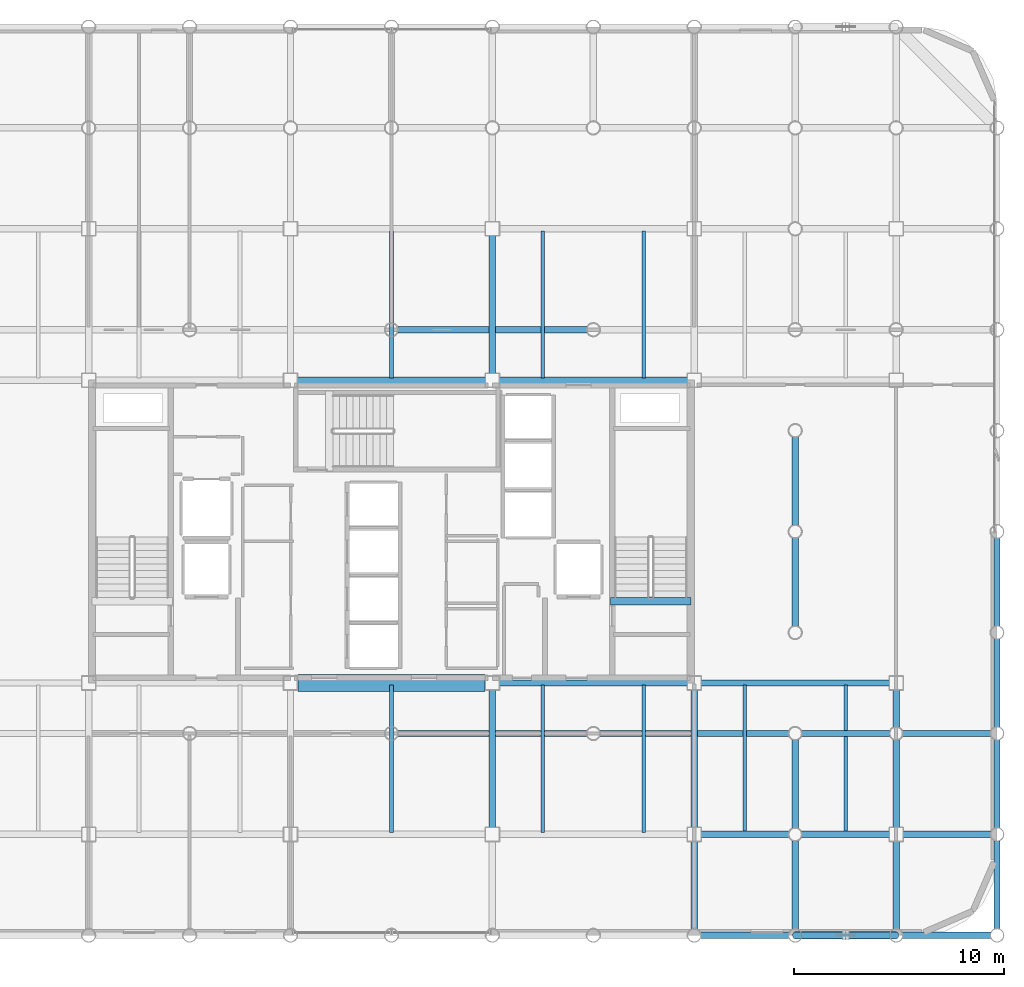
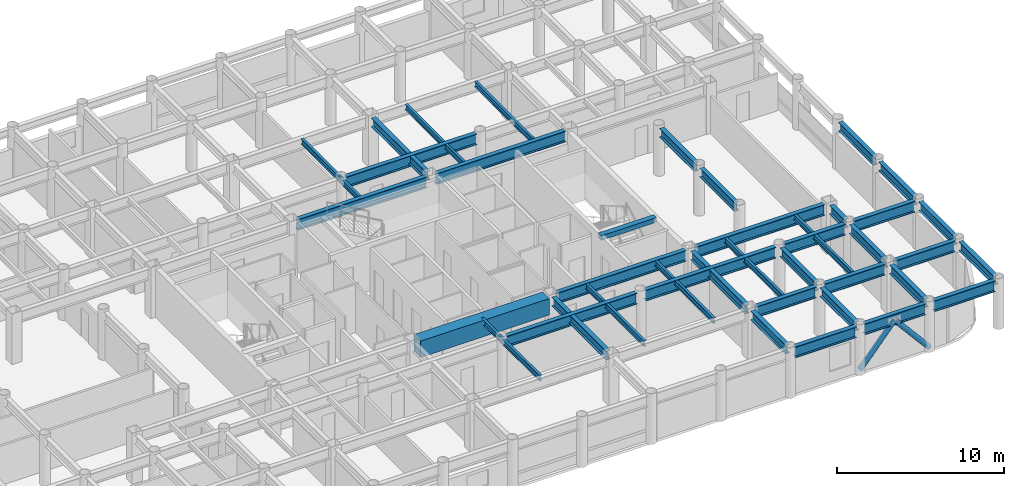
# One storey, part 7 of 19: 40 beams, 2 members.
"""IFC4 building model written with IfcOpenShell, lengths in metres."""

from ifc_helpers import new_model, si_unit, direction, frame, origin, origin_2d, place, context, subcontext, project, spatial, rectangle, hollow_circle, i_section, extrude, material, material_profile, profile_set, type_object, element, save


model = new_model("IFC4")

# Units and contexts
model_context = context("Model", 3, precision=1e-05, world=origin(), true_north=direction((0.0, 1.0)))
body_context = subcontext(model_context, "Body", "Model", "MODEL_VIEW")
ifc_project = project(units=[si_unit("LENGTHUNIT", "METRE"), si_unit("AREAUNIT", "SQUARE_METRE"), si_unit("VOLUMEUNIT", "CUBIC_METRE"), si_unit("PLANEANGLEUNIT", "RADIAN"), si_unit("MASSUNIT", "GRAM", prefix="KILO")], contexts=[model_context])

# Site, building, storey
site_placement = place(None, origin())
site = spatial("IfcSite", under=ifc_project, at=site_placement, CompositionType="ELEMENT")
building_placement = place(site_placement, origin())
building = spatial("IfcBuilding", under=site, at=building_placement, Name="Kallvorn Hotel Tower", CompositionType="ELEMENT")
storey_placement = place(building_placement, frame((0.0, 0.0, 147.0)))
storey = spatial("IfcBuildingStorey", under=building, at=storey_placement, Name="L36", CompositionType="ELEMENT", Elevation=147.0)

# Beams
ifc_material_1 = material(Name="Structural steel S355JR", Category="steel")
ifc_material_profile_1 = material_profile(ifc_material_1, i_section(OverallWidth=0.300048828125, OverallDepth=0.64990234375, WebThickness=0.01611328125, FlangeThickness=0.031005859375, at=origin_2d()), Name="HE 650 B")
ifc_profile_set_1 = profile_set([ifc_material_profile_1], Name="Structural steel S355JR")
beam_type_1 = type_object("IfcBeamType", Name="BM_HE650B", PredefinedType="BEAM", material=ifc_profile_set_1)
for number, where, z_axis, x_axis, name in (
    (1, (4.800048828125, -14.074951171875, 3.195068359375), (0.0, 1.0, 0.0), (-1.0, 0.0, 0.0), "L37 Primary Y-Girder 115"),
    (2, (4.800048828125, 7.52490234375, 3.195068359375), (0.0, 1.0, 0.0), (-1.0, 0.0, 0.0), "L37 Primary Y-Girder 116"),
):
    element("IfcBeam", number, at=place(storey_placement, frame(where, z_axis=z_axis, x_axis=x_axis)), inside=storey, type_object=beam_type_1, Name=name, PredefinedType="BEAM", context=body_context, shape_type="SweptSolid", body=[
        extrude(i_section(OverallWidth=0.300048828125, OverallDepth=0.64990234375, WebThickness=0.01611328125, FlangeThickness=0.031005859375, at=origin_2d()), origin(), (0.0, 0.0, 1.0), 6.550048828125),
    ])
beam_1_placement = place(storey_placement, frame((14.39990234375, -18.89501953125, 3.195068359375), z_axis=(0.0, 1.0, 0.0), x_axis=(-1.0, 0.0, 0.0)))
element("IfcBeam", 3, at=beam_1_placement, inside=storey, type_object=beam_type_1, Name="L37 Primary Y-Girder 122", PredefinedType="BEAM", context=body_context, shape_type="SweptSolid", body=[
    extrude(i_section(OverallWidth=0.300048828125, OverallDepth=0.64990234375, WebThickness=0.01611328125, FlangeThickness=0.031005859375, at=origin_2d()), origin(), (0.0, 0.0, 1.0), 4.169921875),
])
beam_2_placement = place(storey_placement, frame((14.39990234375, -14.074951171875, 3.195068359375), z_axis=(0.0, 1.0, 0.0), x_axis=(-1.0, 0.0, 0.0)))
element("IfcBeam", 4, at=beam_2_placement, inside=storey, type_object=beam_type_1, Name="L37 Primary Y-Girder 123", PredefinedType="BEAM", context=body_context, shape_type="SweptSolid", body=[
    extrude(i_section(OverallWidth=0.300048828125, OverallDepth=0.64990234375, WebThickness=0.01611328125, FlangeThickness=0.031005859375, at=origin_2d()), origin(), (0.0, 0.0, 1.0), 6.550048828125),
])
for number, where, z_axis, x_axis, name in (
    (5, (19.199951171875, -18.89501953125, 3.195068359375), (0.0, 1.0, 0.0), (-1.0, 0.0, 0.0), "L37 Primary Y-Girder 127"),
    (6, (19.199951171875, -14.094970703125, 3.195068359375), (0.0, 1.0, 0.0), (-1.0, 0.0, 0.0), "L37 Primary Y-Girder 128"),
):
    element("IfcBeam", number, at=place(storey_placement, frame(where, z_axis=z_axis, x_axis=x_axis)), inside=storey, type_object=beam_type_1, Name=name, PredefinedType="BEAM", context=body_context, shape_type="SweptSolid", body=[
        extrude(i_section(OverallWidth=0.300048828125, OverallDepth=0.64990234375, WebThickness=0.01611328125, FlangeThickness=0.031005859375, at=origin_2d()), origin(), (0.0, 0.0, 1.0), 4.18994140625),
    ])
for number, where, z_axis, x_axis, name in (
    (7, (19.199951171875, -4.4951171875, 3.195068359375), (0.0, 1.0, 0.0), (-1.0, 0.0, 0.0), "L37 Primary Y-Girder 130"),
    (8, (19.199951171875, 0.304931640625, 3.195068359375), (0.0, 1.0, 0.0), (-1.0, 0.0, 0.0), "L37 Primary Y-Girder 131"),
):
    element("IfcBeam", number, at=place(storey_placement, frame(where, z_axis=z_axis, x_axis=x_axis)), inside=storey, type_object=beam_type_1, Name=name, PredefinedType="BEAM", context=body_context, shape_type="SweptSolid", body=[
        extrude(i_section(OverallWidth=0.300048828125, OverallDepth=0.64990234375, WebThickness=0.01611328125, FlangeThickness=0.031005859375, at=origin_2d()), origin(), (0.0, 0.0, 1.0), 4.190185546875),
    ])
for number, where, z_axis, x_axis, name in (
    (9, (24.0, -18.89501953125, 3.195068359375), (0.0, 1.0, 0.0), (-1.0, 0.0, 0.0), "L37 Primary Y-Girder 136"),
    (10, (24.0, -14.074951171875, 3.195068359375), (0.0, 1.0, 0.0), (-1.0, 0.0, 0.0), "L37 Primary Y-Girder 137"),
):
    element("IfcBeam", number, at=place(storey_placement, frame(where, z_axis=z_axis, x_axis=x_axis)), inside=storey, type_object=beam_type_1, Name=name, PredefinedType="BEAM", context=body_context, shape_type="SweptSolid", body=[
        extrude(i_section(OverallWidth=0.300048828125, OverallDepth=0.64990234375, WebThickness=0.01611328125, FlangeThickness=0.031005859375, at=origin_2d()), origin(), (0.0, 0.0, 1.0), 4.169921875),
    ])
beam_3_placement = place(storey_placement, frame((24.0, -9.294921875, 3.195068359375), z_axis=(0.0, 1.0, 0.0), x_axis=(-1.0, 0.0, 0.0)))
element("IfcBeam", 11, at=beam_3_placement, inside=storey, type_object=beam_type_1, Name="L37 Primary Y-Girder 138", PredefinedType="BEAM", context=body_context, shape_type="SweptSolid", body=[
    extrude(i_section(OverallWidth=0.300048828125, OverallDepth=0.64990234375, WebThickness=0.01611328125, FlangeThickness=0.031005859375, at=origin_2d()), origin(), (0.0, 0.0, 1.0), 1.77001953125),
])
for number, where, z_axis, x_axis, name in (
    (12, (28.800048828125, -18.89501953125, 3.195068359375), (0.0, 1.0, 0.0), (-1.0, 0.0, 0.0), "L37 Primary Y-Girder 143"),
    (13, (28.800048828125, -14.094970703125, 3.195068359375), (0.0, 1.0, 0.0), (-1.0, 0.0, 0.0), "L37 Primary Y-Girder 144"),
    (14, (28.800048828125, -9.294921875, 3.195068359375), (0.0, 1.0, 0.0), (-1.0, 0.0, 0.0), "L37 Primary Y-Girder 145"),
):
    element("IfcBeam", number, at=place(storey_placement, frame(where, z_axis=z_axis, x_axis=x_axis)), inside=storey, type_object=beam_type_1, Name=name, PredefinedType="BEAM", context=body_context, shape_type="SweptSolid", body=[
        extrude(i_section(OverallWidth=0.300048828125, OverallDepth=0.64990234375, WebThickness=0.01611328125, FlangeThickness=0.031005859375, at=origin_2d()), origin(), (0.0, 0.0, 1.0), 4.18994140625),
    ])
beam_4_placement = place(storey_placement, frame((28.800048828125, -4.4951171875, 3.195068359375), z_axis=(0.0, 1.0, 0.0), x_axis=(-1.0, 0.0, 0.0)))
element("IfcBeam", 15, at=beam_4_placement, inside=storey, type_object=beam_type_1, Name="L37 Primary Y-Girder 146", PredefinedType="BEAM", context=body_context, shape_type="SweptSolid", body=[
    extrude(i_section(OverallWidth=0.300048828125, OverallDepth=0.64990234375, WebThickness=0.01611328125, FlangeThickness=0.031005859375, at=origin_2d()), origin(), (0.0, 0.0, 1.0), 4.190185546875),
])
ifc_material_2 = material(Name="Structural steel S355JR", Category="steel")
ifc_material_profile_2 = material_profile(ifc_material_2, i_section(OverallWidth=0.300048828125, OverallDepth=0.800048828125, WebThickness=0.017578125, FlangeThickness=0.032958984375, at=origin_2d()), Name="HE 800 B")
ifc_profile_set_2 = profile_set([ifc_material_profile_2], Name="Structural steel S355JR")
beam_type_2 = type_object("IfcBeamType", Name="BM_HE800B", PredefinedType="BEAM", material=ifc_profile_set_2)
beam_5_placement = place(storey_placement, frame((14.705078125, -19.199951171875, 3.1201171875), z_axis=(1.0, 0.0, 0.0), x_axis=(0.0, 1.0, 0.0)))
element("IfcBeam", 16, at=beam_5_placement, inside=storey, type_object=beam_type_2, Name="L37 Primary X-Girder 10", PredefinedType="BEAM", context=body_context, shape_type="SweptSolid", body=[
    extrude(i_section(OverallWidth=0.300048828125, OverallDepth=0.800048828125, WebThickness=0.017578125, FlangeThickness=0.032958984375, at=origin_2d()), origin(), (0.0, 0.0, 1.0), 4.18994140625),
])
for number, where, z_axis, x_axis, name in (
    (17, (19.5048828125, -19.199951171875, 3.1201171875), (1.0, 0.0, 0.0), (0.0, 1.0, 0.0), "L37 Primary X-Girder 11"),
    (18, (24.304931640625, -19.199951171875, 3.1201171875), (1.0, 0.0, 0.0), (0.0, 1.0, 0.0), "L37 Primary X-Girder 12"),
):
    element("IfcBeam", number, at=place(storey_placement, frame(where, z_axis=z_axis, x_axis=x_axis)), inside=storey, type_object=beam_type_2, Name=name, PredefinedType="BEAM", context=body_context, shape_type="SweptSolid", body=[
        extrude(i_section(OverallWidth=0.300048828125, OverallDepth=0.800048828125, WebThickness=0.017578125, FlangeThickness=0.032958984375, at=origin_2d()), origin(), (0.0, 0.0, 1.0), 4.190185546875),
    ])
beam_6_placement = place(storey_placement, frame((14.72509765625, -14.39990234375, 3.1201171875), z_axis=(1.0, 0.0, 0.0), x_axis=(0.0, 1.0, 0.0)))
element("IfcBeam", 19, at=beam_6_placement, inside=storey, type_object=beam_type_2, Name="L37 Primary X-Girder 20", PredefinedType="BEAM", context=body_context, shape_type="SweptSolid", body=[
    extrude(i_section(OverallWidth=0.300048828125, OverallDepth=0.800048828125, WebThickness=0.017578125, FlangeThickness=0.032958984375, at=origin_2d()), origin(), (0.0, 0.0, 1.0), 4.169921875),
])
for number, where, z_axis, x_axis, name in (
    (20, (19.5048828125, -14.39990234375, 3.1201171875), (1.0, 0.0, 0.0), (0.0, 1.0, 0.0), "L37 Primary X-Girder 21"),
    (21, (24.324951171875, -14.39990234375, 3.1201171875), (1.0, 0.0, 0.0), (0.0, 1.0, 0.0), "L37 Primary X-Girder 22"),
):
    element("IfcBeam", number, at=place(storey_placement, frame(where, z_axis=z_axis, x_axis=x_axis)), inside=storey, type_object=beam_type_2, Name=name, PredefinedType="BEAM", context=body_context, shape_type="SweptSolid", body=[
        extrude(i_section(OverallWidth=0.300048828125, OverallDepth=0.800048828125, WebThickness=0.017578125, FlangeThickness=0.032958984375, at=origin_2d()), origin(), (0.0, 0.0, 1.0), 4.170166015625),
    ])
for number, where, z_axis, x_axis, name in (
    (22, (0.304931640625, -9.60009765625, 3.1201171875), (1.0, 0.0, 0.0), (0.0, 1.0, 0.0), "L37 Primary X-Girder 28"),
    (23, (9.905029296875, -9.60009765625, 3.1201171875), (1.0, 0.0, 0.0), (0.0, 1.0, 0.0), "L37 Primary X-Girder 29"),
):
    element("IfcBeam", number, at=place(storey_placement, frame(where, z_axis=z_axis, x_axis=x_axis)), inside=storey, type_object=beam_type_2, Name=name, PredefinedType="BEAM", context=body_context, shape_type="SweptSolid", body=[
        extrude(i_section(OverallWidth=0.300048828125, OverallDepth=0.800048828125, WebThickness=0.017578125, FlangeThickness=0.032958984375, at=origin_2d()), origin(), (0.0, 0.0, 1.0), 8.989990234375),
    ])
for number, where, z_axis, x_axis, name in (
    (24, (19.5048828125, -9.60009765625, 3.1201171875), (1.0, 0.0, 0.0), (0.0, 1.0, 0.0), "L37 Primary X-Girder 30"),
    (25, (24.304931640625, -9.60009765625, 3.1201171875), (1.0, 0.0, 0.0), (0.0, 1.0, 0.0), "L37 Primary X-Girder 31"),
):
    element("IfcBeam", number, at=place(storey_placement, frame(where, z_axis=z_axis, x_axis=x_axis)), inside=storey, type_object=beam_type_2, Name=name, PredefinedType="BEAM", context=body_context, shape_type="SweptSolid", body=[
        extrude(i_section(OverallWidth=0.300048828125, OverallDepth=0.800048828125, WebThickness=0.017578125, FlangeThickness=0.032958984375, at=origin_2d()), origin(), (0.0, 0.0, 1.0), 4.190185546875),
    ])
for number, where, z_axis, x_axis, name in (
    (26, (5.125, -7.199951171875, 3.1201171875), (1.0, 0.0, 0.0), (0.0, 1.0, 0.0), "L37 Primary X-Girder 34"),
    (27, (14.72509765625, -7.199951171875, 3.1201171875), (1.0, 0.0, 0.0), (0.0, 1.0, 0.0), "L37 Primary X-Girder 35"),
):
    element("IfcBeam", number, at=place(storey_placement, frame(where, z_axis=z_axis, x_axis=x_axis)), inside=storey, type_object=beam_type_2, Name=name, PredefinedType="BEAM", context=body_context, shape_type="SweptSolid", body=[
        extrude(i_section(OverallWidth=0.300048828125, OverallDepth=0.800048828125, WebThickness=0.017578125, FlangeThickness=0.032958984375, at=origin_2d()), origin(), (0.0, 0.0, 1.0), 8.949951171875),
    ])
beam_7_placement = place(storey_placement, frame((-4.47509765625, 7.199951171875, 3.1201171875), z_axis=(1.0, 0.0, 0.0), x_axis=(0.0, 1.0, 0.0)))
element("IfcBeam", 28, at=beam_7_placement, inside=storey, type_object=beam_type_2, Name="L37 Primary X-Girder 38", PredefinedType="BEAM", context=body_context, shape_type="SweptSolid", body=[
    extrude(i_section(OverallWidth=0.300048828125, OverallDepth=0.800048828125, WebThickness=0.017578125, FlangeThickness=0.032958984375, at=origin_2d()), origin(), (0.0, 0.0, 1.0), 8.9501953125),
])
beam_8_placement = place(storey_placement, frame((5.125, 7.199951171875, 3.1201171875), z_axis=(1.0, 0.0, 0.0), x_axis=(0.0, 1.0, 0.0)))
element("IfcBeam", 29, at=beam_8_placement, inside=storey, type_object=beam_type_2, Name="L37 Primary X-Girder 39", PredefinedType="BEAM", context=body_context, shape_type="SweptSolid", body=[
    extrude(i_section(OverallWidth=0.300048828125, OverallDepth=0.800048828125, WebThickness=0.017578125, FlangeThickness=0.032958984375, at=origin_2d()), origin(), (0.0, 0.0, 1.0), 8.949951171875),
])
beam_9_placement = place(storey_placement, frame((0.304931640625, 9.60009765625, 3.1201171875), z_axis=(1.0, 0.0, 0.0), x_axis=(0.0, 1.0, 0.0)))
element("IfcBeam", 30, at=beam_9_placement, inside=storey, type_object=beam_type_2, Name="L37 Primary X-Girder 46", PredefinedType="BEAM", context=body_context, shape_type="SweptSolid", body=[
    extrude(i_section(OverallWidth=0.300048828125, OverallDepth=0.800048828125, WebThickness=0.017578125, FlangeThickness=0.032958984375, at=origin_2d()), origin(), (0.0, 0.0, 1.0), 8.989990234375),
])
ifc_material_3 = material(Name="Structural steel S355JR", Category="steel")
ifc_material_profile_3 = material_profile(ifc_material_3, i_section(OverallWidth=0.179931640625, OverallDepth=0.39990234375, WebThickness=0.008544921875, FlangeThickness=0.013427734375, at=origin_2d()), Name="IPE 400")
ifc_profile_set_3 = profile_set([ifc_material_profile_3], Name="Structural steel S355JR")
beam_type_3 = type_object("IfcBeamType", Name="BM_IPE400", PredefinedType="JOIST", material=ifc_profile_set_3)
for number, where, z_axis, x_axis, name in (
    (31, (0.0, -14.300048828125, 3.320068359375), (0.0, 1.0, 0.0), (-1.0, 0.0, 0.0), "L37 Secondary Composite Joist 200"),
    (32, (0.0, 7.300048828125, 3.320068359375), (0.0, 1.0, 0.0), (-1.0, 0.0, 0.0), "L37 Secondary Composite Joist 201"),
    (33, (7.199951171875, -14.300048828125, 3.320068359375), (0.0, 1.0, 0.0), (-1.0, 0.0, 0.0), "L37 Secondary Composite Joist 202"),
    (34, (7.199951171875, 7.300048828125, 3.320068359375), (0.0, 1.0, 0.0), (-1.0, 0.0, 0.0), "L37 Secondary Composite Joist 203"),
    (35, (12.0, -14.300048828125, 3.320068359375), (0.0, 1.0, 0.0), (-1.0, 0.0, 0.0), "L37 Secondary Composite Joist 204"),
    (36, (12.0, 7.300048828125, 3.320068359375), (0.0, 1.0, 0.0), (-1.0, 0.0, 0.0), "L37 Secondary Composite Joist 205"),
    (37, (16.800048828125, -14.300048828125, 3.320068359375), (0.0, 1.0, 0.0), (-1.0, 0.0, 0.0), "L37 Secondary Composite Joist 206"),
    (38, (21.60009765625, -14.300048828125, 3.320068359375), (0.0, 1.0, 0.0), (-1.0, 0.0, 0.0), "L37 Secondary Composite Joist 208"),
):
    element("IfcBeam", number, at=place(storey_placement, frame(where, z_axis=z_axis, x_axis=x_axis)), inside=storey, type_object=beam_type_3, Name=name, PredefinedType="JOIST", context=body_context, shape_type="SweptSolid", body=[
        extrude(i_section(OverallWidth=0.179931640625, OverallDepth=0.39990234375, WebThickness=0.008544921875, FlangeThickness=0.013427734375, at=origin_2d()), origin(), (0.0, 0.0, 1.0), 7.0),
    ])
ifc_material_4 = material(Name="Concrete C50/60", Category="concrete")
ifc_material_profile_4 = material_profile(ifc_material_4, rectangle(XDim=0.360107421875, YDim=0.340087890625, at=origin_2d()), Name="RC 360x340")
ifc_profile_set_4 = profile_set([ifc_material_profile_4], Name="Concrete C50/60")
beam_type_4 = type_object("IfcBeamType", Name="BM_RC_400x360", PredefinedType="BEAM", material=ifc_profile_set_4)
beam_10_placement = place(storey_placement, frame((14.239990234375, -3.31005859375, 3.35009765625), z_axis=(-1.0, 0.0, 0.0), x_axis=(0.0, -1.0, 0.0)))
element("IfcBeam", 39, at=beam_10_placement, inside=storey, type_object=beam_type_4, Name="L37 Stair ST2 Arrival Trimmer Beam", PredefinedType="BEAM", context=body_context, shape_type="SweptSolid", body=[
    extrude(rectangle(XDim=0.360107421875, YDim=0.340087890625, at=origin_2d()), origin(), (0.0, 0.0, 1.0), 3.820068359375),
])
ifc_material_5 = material(Name="Concrete C50/60", Category="concrete")
ifc_material_profile_5 = material_profile(ifc_material_5, rectangle(XDim=0.800048828125, YDim=1.199951171875, at=origin_2d()), Name="RC 800x1200")
ifc_profile_set_5 = profile_set([ifc_material_profile_5], Name="Concrete C50/60")
beam_type_5 = type_object("IfcBeamType", Name="BM_RC_800x1200", PredefinedType="T_BEAM", material=ifc_profile_set_5)
beam_11_placement = place(storey_placement, frame((-4.449951171875, -7.199951171875, 2.919921875), z_axis=(1.0, 0.0, 0.0), x_axis=(0.0, 1.0, 0.0)))
element("IfcBeam", 40, at=beam_11_placement, inside=storey, type_object=beam_type_5, Name="L36 Core Coupling Beam South", PredefinedType="T_BEAM", context=body_context, shape_type="SweptSolid", body=[
    extrude(rectangle(XDim=0.800048828125, YDim=1.199951171875, at=origin_2d()), origin(), (0.0, 0.0, 1.0), 8.89990234375),
])

# Members
ifc_material_6 = material(Name="Structural steel S355J2H", Category="steel")
ifc_material_profile_6 = material_profile(ifc_material_6, hollow_circle(Radius=0.177734375, WallThickness=0.01416015625, at=origin_2d()), Name="CHS 355.6x14.2")
ifc_profile_set_6 = profile_set([ifc_material_profile_6], Name="Structural steel S355J2H")
member_type = type_object("IfcMemberType", Name="MBR_EXO_CHS355", PredefinedType="BRACE", material=ifc_profile_set_6)
for number, where, z_axis, x_axis, name in (
    (41, (19.212890625, -19.199951171875, 0.1953125), (0.646833296797, 0.0, 0.762631422218), (0.0, 1.0, 0.0), "L36 Exoskeleton K-Brace S2A"),
    (42, (23.987060546875, -19.199951171875, 0.1953125), (-0.646833296797, 0.0, 0.762631422218), (0.0, -1.0, 0.0), "L36 Exoskeleton K-Brace S2B"),
):
    element("IfcMember", number, at=place(storey_placement, frame(where, z_axis=z_axis, x_axis=x_axis)), inside=storey, type_object=member_type, Name=name, PredefinedType="BRACE", context=body_context, shape_type="SweptSolid", body=[
        extrude(hollow_circle(Radius=0.177734375, WallThickness=0.01416015625, at=origin_2d()), origin(), (0.0, 0.0, 1.0), 3.670654296875),
    ])

save(model, "model.ifc")
